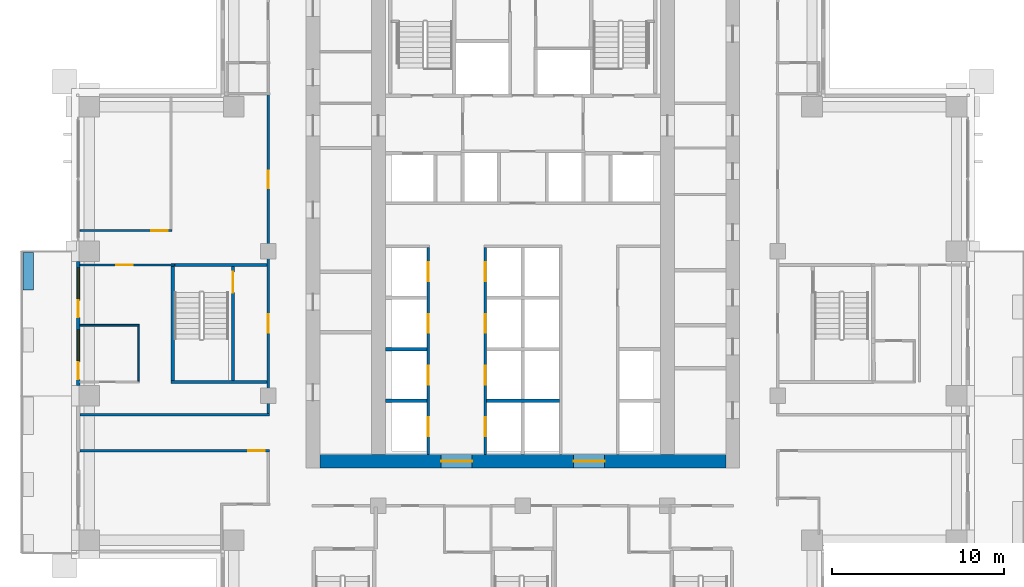
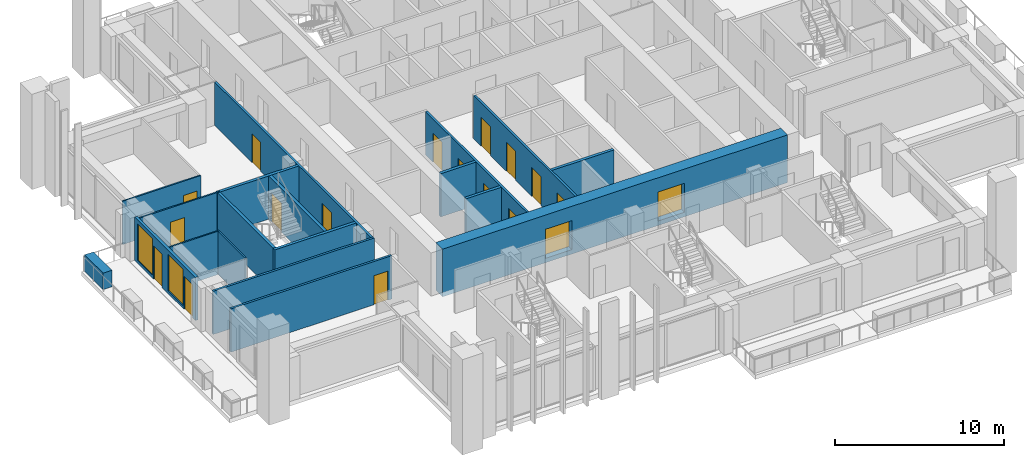
# One storey, part 9 of 19: 19 walls, 18 doors, 2 windows, 20 openings.
"""IFC4 building model written with IfcOpenShell, lengths in metres."""

from ifc_helpers import new_model, si_unit, direction, frame, frame_2d, origin, place, context, subcontext, project, spatial, rectangle, extrude, material, layer, layer_set, type_object, element, fill, save


model = new_model("IFC4")

# Units and contexts
model_context = context("Model", 3, precision=1e-05, world=origin(), true_north=direction((0.0, 1.0)))
body_context = subcontext(model_context, "Body", "Model", "MODEL_VIEW")
ifc_project = project(units=[si_unit("LENGTHUNIT", "METRE"), si_unit("AREAUNIT", "SQUARE_METRE"), si_unit("VOLUMEUNIT", "CUBIC_METRE"), si_unit("PLANEANGLEUNIT", "RADIAN"), si_unit("MASSUNIT", "GRAM", prefix="KILO")], contexts=[model_context])

# Site, building, storey
site_placement = place(None, origin())
site = spatial("IfcSite", under=ifc_project, at=site_placement, CompositionType="ELEMENT")
building_placement = place(site_placement, origin())
building = spatial("IfcBuilding", under=site, at=building_placement, Name="Vermilion Ogive Tower", CompositionType="ELEMENT")
storey_placement = place(building_placement, frame((0.0, 0.0, 104.550048828125)))
storey = spatial("IfcBuildingStorey", under=building, at=storey_placement, Name="L26", CompositionType="ELEMENT", Elevation=104.550048828125)

# Wall, openings, doors
ifc_material_1 = material(Name="Concrete B80", Category="concrete")
ifc_layer_1 = layer(ifc_material_1, 0.800048828125)
ifc_layer_set_1 = layer_set([ifc_layer_1], Name="Core wall 800 B80")
wall_type_1 = type_object("IfcWallType", Name="Core wall 800 B80", PredefinedType="SHEAR", material=ifc_layer_set_1)
wall_1_placement = place(storey_placement, frame((-11.800048828125, -8.0, -0.320068359375), z_axis=(0.0, 0.0, 1.0), x_axis=(1.0, 0.0, 0.0)))
wall_1 = element("IfcWall", 1, at=wall_1_placement, inside=storey, type_object=wall_type_1, Name="L26-CORE-S", PredefinedType="SHEAR", context=body_context, shape_type="SweptSolid", body=[
    extrude(rectangle(XDim=23.60009765625, YDim=0.800048828125, at=frame_2d((11.800048828125, 0.0))), origin(), (0.0, 0.0, 1.0), 3.449951171875),
])
opening_1_placement = place(wall_1_placement, frame((7.050048828125, 0.0, 0.320068359375)))
opening_1 = element("IfcOpeningElement", 2, at=opening_1_placement, cuts=wall_1, Name="Opening DAH019", PredefinedType="OPENING", context=body_context, shape_type="SweptSolid", body=[
    extrude(rectangle(XDim=1.800048828125, YDim=2.10009765625, at=frame_2d((0.89990234375, 1.050048828125))), frame((0.0, 0.409912109375, 0.0), z_axis=(0.0, -1.0, 0.0), x_axis=(1.0, 0.0, 0.0)), (0.0, 0.0, 1.0), 0.820068359375),
])
opening_2_placement = place(wall_1_placement, frame((14.75, 0.0, 0.320068359375)))
opening_2 = element("IfcOpeningElement", 3, at=opening_2_placement, cuts=wall_1, Name="Opening DAH020", PredefinedType="OPENING", context=body_context, shape_type="SweptSolid", body=[
    extrude(rectangle(XDim=1.800048828125, YDim=2.10009765625, at=frame_2d((0.89990234375, 1.050048828125))), frame((0.0, 0.409912109375, 0.0), z_axis=(0.0, -1.0, 0.0), x_axis=(1.0, 0.0, 0.0)), (0.0, 0.0, 1.0), 0.820068359375),
])
ifc_material_2 = material(Name="Timber door leaf", Category="wood")
door_type_1 = type_object("IfcDoorType", Name="Core entry door 1800 x 2100 FD60S", OperationType="DOUBLE_DOOR_SINGLE_SWING", PredefinedType="DOOR", material=ifc_material_2)
door_1_placement = place(opening_1_placement, origin())
door_1 = element("IfcDoor", 4, at=door_1_placement, inside=storey, type_object=door_type_1, Name="L26-CK-XD1", OperationType="SINGLE_SWING_LEFT", OverallHeight=2.10009765625, OverallWidth=1.800048828125, PredefinedType="DOOR", context=body_context, shape_type="SweptSolid", body=[
    extrude(rectangle(XDim=1.800048828125, YDim=2.10009765625, at=frame_2d((0.89990234375, 1.050048828125))), frame((0.0, 0.02490234375, 0.0), z_axis=(0.0, -1.0, 0.0), x_axis=(1.0, 0.0, 0.0)), (0.0, 0.0, 1.0), 0.050048828125),
])
fill(opening_1, door_1)
door_2_placement = place(opening_2_placement, origin())
door_2 = element("IfcDoor", 5, at=door_2_placement, inside=storey, type_object=door_type_1, Name="L26-CK-XD2", OperationType="SINGLE_SWING_LEFT", OverallHeight=2.10009765625, OverallWidth=1.800048828125, PredefinedType="DOOR", context=body_context, shape_type="SweptSolid", body=[
    extrude(rectangle(XDim=1.800048828125, YDim=2.10009765625, at=frame_2d((0.89990234375, 1.050048828125))), frame((0.0, 0.02490234375, 0.0), z_axis=(0.0, -1.0, 0.0), x_axis=(1.0, 0.0, 0.0)), (0.0, 0.0, 1.0), 0.050048828125),
])
fill(opening_2, door_2)

# Walls
ifc_material_3 = material(Name="Gypsum board partition on steel studs", Category="steel")
ifc_layer_2 = layer(ifc_material_3, 0.10009765625)
ifc_layer_set_2 = layer_set([ifc_layer_2], Name="Partition 100 bath")
wall_type_2 = type_object("IfcWallType", Name="Partition 100 bath", PredefinedType="PARTITIONING", material=ifc_layer_set_2)
wall_2_placement = place(storey_placement, frame((-25.75, -0.10009765625, 0.0), z_axis=(0.0, 0.0, 1.0), x_axis=(1.0, 0.0, 0.0)))
element("IfcWall", 6, at=wall_2_placement, inside=storey, type_object=wall_type_2, Name="L26-W-W023", PredefinedType="PARTITIONING", context=body_context, shape_type="SweptSolid", body=[
    extrude(rectangle(XDim=3.447998046875, YDim=0.10009765625, at=frame_2d((1.72412109375, 0.0))), origin(), (0.0, 0.0, 1.0), 3.1298828125),
])
wall_3_placement = place(storey_placement, frame((-22.35009765625, -3.347900390625, 0.0), z_axis=(0.0, 0.0, 1.0), x_axis=(0.0, 1.0, 0.0)))
element("IfcWall", 7, at=wall_3_placement, inside=storey, type_object=wall_type_2, Name="L26-W-W035", PredefinedType="PARTITIONING", context=body_context, shape_type="SweptSolid", body=[
    extrude(rectangle(XDim=3.19580078125, YDim=0.10009765625, at=frame_2d((1.597900390625, 0.0))), origin(), (0.0, 0.0, 1.0), 3.1298828125),
])

# Wall, opening, door
ifc_material_4 = material(Name="Gypsum board partition on steel studs", Category="steel")
ifc_layer_3 = layer(ifc_material_4, 0.10009765625)
ifc_layer_set_3 = layer_set([ifc_layer_3], Name="Partition 100 inner")
wall_type_3 = type_object("IfcWallType", Name="Partition 100 inner", PredefinedType="PARTITIONING", material=ifc_layer_set_3)
wall_4_placement = place(storey_placement, frame((-25.75, 3.39990234375, 0.0), z_axis=(0.0, 0.0, 1.0), x_axis=(1.0, 0.0, 0.0)))
wall_4 = element("IfcWall", 8, at=wall_4_placement, inside=storey, type_object=wall_type_3, Name="L26-W-W024", PredefinedType="PARTITIONING", context=body_context, shape_type="SweptSolid", body=[
    extrude(rectangle(XDim=5.5, YDim=0.10009765625, at=frame_2d((2.75, 0.0))), origin(), (0.0, 0.0, 1.0), 3.1298828125),
])
opening_3_placement = place(wall_4_placement, frame((2.125, 0.0, 0.0)))
opening_3 = element("IfcOpeningElement", 9, at=opening_3_placement, cuts=wall_4, Name="Opening D2G4005", PredefinedType="OPENING", context=body_context, shape_type="SweptSolid", body=[
    extrude(rectangle(XDim=0.949951171875, YDim=2.10009765625, at=frame_2d((0.47509765625, 1.050048828125))), frame((0.0, 0.06005859375, 0.0), z_axis=(0.0, -1.0, 0.0), x_axis=(1.0, 0.0, 0.0)), (0.0, 0.0, 1.0), 0.1201171875),
])
ifc_material_5 = material(Name="Timber door leaf", Category="wood")
door_type_2 = type_object("IfcDoorType", Name="Inner door 950 x 2100 FD30", OperationType="SINGLE_SWING_LEFT", PredefinedType="DOOR", material=ifc_material_5)
door_3_placement = place(opening_3_placement, origin())
door_3 = element("IfcDoor", 10, at=door_3_placement, inside=storey, type_object=door_type_2, Name="L26-D-D005", OperationType="SINGLE_SWING_LEFT", OverallHeight=2.10009765625, OverallWidth=0.949951171875, PredefinedType="DOOR", context=body_context, shape_type="SweptSolid", body=[
    extrude(rectangle(XDim=0.949951171875, YDim=2.10009765625, at=frame_2d((0.47509765625, 1.050048828125))), frame((0.0, 0.02490234375, 0.0), z_axis=(0.0, -1.0, 0.0), x_axis=(1.0, 0.0, 0.0)), (0.0, 0.0, 1.0), 0.050048828125),
])
fill(opening_3, door_3)

wall_5_placement = place(storey_placement, frame((-25.75, 5.39990234375, 0.0), z_axis=(0.0, 0.0, 1.0), x_axis=(1.0, 0.0, 0.0)))
wall_5 = element("IfcWall", 11, at=wall_5_placement, inside=storey, type_object=wall_type_3, Name="L26-W-W028", PredefinedType="PARTITIONING", context=body_context, shape_type="SweptSolid", body=[
    extrude(rectangle(XDim=5.35009765625, YDim=0.10009765625, at=frame_2d((2.675048828125, 0.0))), origin(), (0.0, 0.0, 1.0), 3.1298828125),
])
opening_4_placement = place(wall_5_placement, frame((4.14990234375, 0.0, 0.0)))
opening_4 = element("IfcOpeningElement", 12, at=opening_4_placement, cuts=wall_5, Name="Opening D2G4003", PredefinedType="OPENING", context=body_context, shape_type="SweptSolid", body=[
    extrude(rectangle(XDim=0.949951171875, YDim=2.10009765625, at=frame_2d((0.47509765625, 1.050048828125))), frame((0.0, 0.06005859375, 0.0), z_axis=(0.0, -1.0, 0.0), x_axis=(1.0, 0.0, 0.0)), (0.0, 0.0, 1.0), 0.1201171875),
])
door_4_placement = place(opening_4_placement, origin())
door_4 = element("IfcDoor", 13, at=door_4_placement, inside=storey, type_object=door_type_2, Name="L26-D-D003", OperationType="SINGLE_SWING_LEFT", OverallHeight=2.10009765625, OverallWidth=0.949951171875, PredefinedType="DOOR", context=body_context, shape_type="SweptSolid", body=[
    extrude(rectangle(XDim=0.949951171875, YDim=2.10009765625, at=frame_2d((0.47509765625, 1.050048828125))), frame((0.0, 0.02490234375, 0.0), z_axis=(0.0, -1.0, 0.0), x_axis=(1.0, 0.0, 0.0)), (0.0, 0.0, 1.0), 0.050048828125),
])
fill(opening_4, door_4)

ifc_material_6 = material(Name="Gypsum board partition on steel studs", Category="steel")
ifc_layer_4 = layer(ifc_material_6, 0.14990234375)
ifc_layer_set_4 = layer_set([ifc_layer_4], Name="Partition 150 corridor")
wall_type_4 = type_object("IfcWallType", Name="Partition 150 corridor", PredefinedType="PARTITIONING", material=ifc_layer_set_4)
wall_6_placement = place(storey_placement, frame((-25.75, -7.39990234375, 0.0), z_axis=(0.0, 0.0, 1.0), x_axis=(1.0, 0.0, 0.0)))
wall_6 = element("IfcWall", 14, at=wall_6_placement, inside=storey, type_object=wall_type_4, Name="L26-W-W014", PredefinedType="PARTITIONING", context=body_context, shape_type="SweptSolid", body=[
    extrude(rectangle(XDim=11.02490234375, YDim=0.14990234375, at=frame_2d((5.512451171875, 0.0))), origin(), (0.0, 0.0, 1.0), 3.1298828125),
])
opening_5_placement = place(wall_6_placement, frame((9.800048828125, 0.0, 0.0)))
opening_5 = element("IfcOpeningElement", 15, at=opening_5_placement, cuts=wall_6, Name="Opening D2G4001", PredefinedType="OPENING", context=body_context, shape_type="SweptSolid", body=[
    extrude(rectangle(XDim=0.949951171875, YDim=2.10009765625, at=frame_2d((0.47509765625, 1.050048828125))), frame((0.0, 0.0849609375, 0.0), z_axis=(0.0, -1.0, 0.0), x_axis=(1.0, 0.0, 0.0)), (0.0, 0.0, 1.0), 0.169921875),
])
ifc_material_7 = material(Name="Timber door leaf", Category="wood")
door_type_3 = type_object("IfcDoorType", Name="Unit door 950 x 2100 FD30S", OperationType="SINGLE_SWING_LEFT", PredefinedType="DOOR", material=ifc_material_7)
door_5_placement = place(opening_5_placement, origin())
door_5 = element("IfcDoor", 16, at=door_5_placement, inside=storey, type_object=door_type_3, Name="L26-D-D001", OperationType="SINGLE_SWING_RIGHT", OverallHeight=2.10009765625, OverallWidth=0.949951171875, PredefinedType="DOOR", context=body_context, shape_type="SweptSolid", body=[
    extrude(rectangle(XDim=0.949951171875, YDim=2.10009765625, at=frame_2d((0.47509765625, 1.050048828125))), frame((0.0, 0.02490234375, 0.0), z_axis=(0.0, -1.0, 0.0), x_axis=(1.0, 0.0, 0.0)), (0.0, 0.0, 1.0), 0.050048828125),
])
fill(opening_5, door_5)

# Wall
wall_7_placement = place(storey_placement, frame((-25.75, -5.300048828125, 0.0), z_axis=(0.0, 0.0, 1.0), x_axis=(1.0, 0.0, 0.0)))
element("IfcWall", 17, at=wall_7_placement, inside=storey, type_object=wall_type_4, Name="L26-W-W016", PredefinedType="PARTITIONING", context=body_context, shape_type="SweptSolid", body=[
    extrude(rectangle(XDim=11.02294921875, YDim=0.14990234375, at=frame_2d((5.511474609375, 0.0))), origin(), (0.0, 0.0, 1.0), 3.1298828125),
])

# Wall, openings, doors
wall_8_placement = place(storey_placement, frame((-14.800048828125, -5.222900390625, 0.0), z_axis=(0.0, 0.0, 1.0), x_axis=(0.0, 1.0, 0.0)))
wall_8 = element("IfcWall", 18, at=wall_8_placement, inside=storey, type_object=wall_type_4, Name="L26-W-W042", PredefinedType="PARTITIONING", context=body_context, shape_type="SweptSolid", body=[
    extrude(rectangle(XDim=18.52294921875, YDim=0.14990234375, at=frame_2d((9.261474609375, 0.0))), origin(), (0.0, 0.0, 1.0), 3.1298828125),
])
opening_6_placement = place(wall_8_placement, frame((13.097900390625, 0.0, 0.0)))
opening_6 = element("IfcOpeningElement", 19, at=opening_6_placement, cuts=wall_8, Name="Opening D2G4004", PredefinedType="OPENING", context=body_context, shape_type="SweptSolid", body=[
    extrude(rectangle(XDim=1.0, YDim=2.10009765625, at=frame_2d((0.5, 1.050048828125))), frame((0.0, 0.0849609375, 0.0), z_axis=(0.0, -1.0, 0.0), x_axis=(1.0, 0.0, 0.0)), (0.0, 0.0, 1.0), 0.169921875),
])
opening_7_placement = place(wall_8_placement, frame((4.6728515625, 0.0, 0.0)))
opening_7 = element("IfcOpeningElement", 20, at=opening_7_placement, cuts=wall_8, Name="Opening D2G4029", PredefinedType="OPENING", context=body_context, shape_type="SweptSolid", body=[
    extrude(rectangle(XDim=1.10009765625, YDim=2.10009765625, at=frame_2d((0.550048828125, 1.050048828125))), frame((0.0, 0.0849609375, 0.0), z_axis=(0.0, -1.0, 0.0), x_axis=(1.0, 0.0, 0.0)), (0.0, 0.0, 1.0), 0.169921875),
])
ifc_material_8 = material(Name="Timber door leaf", Category="wood")
door_type_4 = type_object("IfcDoorType", Name="Stair door 1100 x 2100 FD60S", OperationType="SINGLE_SWING_LEFT", PredefinedType="DOOR", material=ifc_material_8)
door_6_placement = place(opening_7_placement, origin())
door_6 = element("IfcDoor", 21, at=door_6_placement, inside=storey, type_object=door_type_4, Name="L26-D-D029", OperationType="SINGLE_SWING_LEFT", OverallHeight=2.10009765625, OverallWidth=1.10009765625, PredefinedType="DOOR", context=body_context, shape_type="SweptSolid", body=[
    extrude(rectangle(XDim=1.10009765625, YDim=2.10009765625, at=frame_2d((0.550048828125, 1.050048828125))), frame((0.0, 0.02490234375, 0.0), z_axis=(0.0, -1.0, 0.0), x_axis=(1.0, 0.0, 0.0)), (0.0, 0.0, 1.0), 0.050048828125),
])
fill(opening_7, door_6)
ifc_material_9 = material(Name="Timber door leaf", Category="wood")
door_type_5 = type_object("IfcDoorType", Name="Unit door 1000 x 2100 FD30S", OperationType="SINGLE_SWING_LEFT", PredefinedType="DOOR", material=ifc_material_9)
door_7_placement = place(opening_6_placement, origin())
door_7 = element("IfcDoor", 22, at=door_7_placement, inside=storey, type_object=door_type_5, Name="L26-D-D004", OperationType="SINGLE_SWING_LEFT", OverallHeight=2.10009765625, OverallWidth=1.0, PredefinedType="DOOR", context=body_context, shape_type="SweptSolid", body=[
    extrude(rectangle(XDim=1.0, YDim=2.10009765625, at=frame_2d((0.5, 1.050048828125))), frame((0.0, 0.02490234375, 0.0), z_axis=(0.0, -1.0, 0.0), x_axis=(1.0, 0.0, 0.0)), (0.0, 0.0, 1.0), 0.050048828125),
])
fill(opening_6, door_7)

wall_9_placement = place(storey_placement, frame((-5.5, -7.59912109375, 0.0), z_axis=(0.0, 0.0, 1.0), x_axis=(0.0, 1.0, 0.0)))
wall_9 = element("IfcWall", 23, at=wall_9_placement, inside=storey, type_object=wall_type_4, Name="L26-CK-W-W021", PredefinedType="PARTITIONING", context=body_context, shape_type="SweptSolid", body=[
    extrude(rectangle(XDim=12.024169921875, YDim=0.14990234375, at=frame_2d((6.01220703125, 0.0))), origin(), (0.0, 0.0, 1.0), 3.1298828125),
])
opening_8_placement = place(wall_9_placement, frame((1.049072265625, 0.0, 0.0)))
opening_8 = element("IfcOpeningElement", 24, at=opening_8_placement, cuts=wall_9, Name="Opening DAA218", PredefinedType="OPENING", context=body_context, shape_type="SweptSolid", body=[
    extrude(rectangle(XDim=1.10009765625, YDim=2.10009765625, at=frame_2d((0.550048828125, 1.050048828125))), frame((0.0, 0.0849609375, 0.0), z_axis=(0.0, -1.0, 0.0), x_axis=(1.0, 0.0, 0.0)), (0.0, 0.0, 1.0), 0.169921875),
])
opening_9_placement = place(wall_9_placement, frame((4.049072265625, 0.0, 0.0)))
opening_9 = element("IfcOpeningElement", 25, at=opening_9_placement, cuts=wall_9, Name="Opening DAA221", PredefinedType="OPENING", context=body_context, shape_type="SweptSolid", body=[
    extrude(rectangle(XDim=1.10009765625, YDim=2.10009765625, at=frame_2d((0.550048828125, 1.050048828125))), frame((0.0, 0.0849609375, 0.0), z_axis=(0.0, -1.0, 0.0), x_axis=(1.0, 0.0, 0.0)), (0.0, 0.0, 1.0), 0.169921875),
])
opening_10_placement = place(wall_9_placement, frame((7.049072265625, 0.0, 0.0)))
opening_10 = element("IfcOpeningElement", 26, at=opening_10_placement, cuts=wall_9, Name="Opening DAA222", PredefinedType="OPENING", context=body_context, shape_type="SweptSolid", body=[
    extrude(rectangle(XDim=1.10009765625, YDim=2.10009765625, at=frame_2d((0.550048828125, 1.050048828125))), frame((0.0, 0.0849609375, 0.0), z_axis=(0.0, -1.0, 0.0), x_axis=(1.0, 0.0, 0.0)), (0.0, 0.0, 1.0), 0.169921875),
])
opening_11_placement = place(wall_9_placement, frame((10.049072265625, 0.0, 0.0)))
opening_11 = element("IfcOpeningElement", 27, at=opening_11_placement, cuts=wall_9, Name="Opening DAA223", PredefinedType="OPENING", context=body_context, shape_type="SweptSolid", body=[
    extrude(rectangle(XDim=1.10009765625, YDim=2.10009765625, at=frame_2d((0.550048828125, 1.050048828125))), frame((0.0, 0.0849609375, 0.0), z_axis=(0.0, -1.0, 0.0), x_axis=(1.0, 0.0, 0.0)), (0.0, 0.0, 1.0), 0.169921875),
])
ifc_material_10 = material(Name="Stainless steel", Category="steel")
door_type_6 = type_object("IfcDoorType", Name="Lift landing door 1100 x 2100", OperationType="SLIDING_TO_LEFT", PredefinedType="DOOR", material=ifc_material_10)
door_8_placement = place(opening_8_placement, origin())
door_8 = element("IfcDoor", 28, at=door_8_placement, inside=storey, type_object=door_type_6, Name="L26-CK-D-D001", OperationType="SLIDING_TO_LEFT", OverallHeight=2.10009765625, OverallWidth=1.10009765625, PredefinedType="DOOR", context=body_context, shape_type="SweptSolid", body=[
    extrude(rectangle(XDim=1.10009765625, YDim=2.10009765625, at=frame_2d((0.550048828125, 1.050048828125))), frame((0.0, 0.02490234375, 0.0), z_axis=(0.0, -1.0, 0.0), x_axis=(1.0, 0.0, 0.0)), (0.0, 0.0, 1.0), 0.050048828125),
])
fill(opening_8, door_8)
door_9_placement = place(opening_9_placement, origin())
door_9 = element("IfcDoor", 29, at=door_9_placement, inside=storey, type_object=door_type_6, Name="L26-CK-D-D002", OperationType="SLIDING_TO_LEFT", OverallHeight=2.10009765625, OverallWidth=1.10009765625, PredefinedType="DOOR", context=body_context, shape_type="SweptSolid", body=[
    extrude(rectangle(XDim=1.10009765625, YDim=2.10009765625, at=frame_2d((0.550048828125, 1.050048828125))), frame((0.0, 0.02490234375, 0.0), z_axis=(0.0, -1.0, 0.0), x_axis=(1.0, 0.0, 0.0)), (0.0, 0.0, 1.0), 0.050048828125),
])
fill(opening_9, door_9)
door_10_placement = place(opening_10_placement, origin())
door_10 = element("IfcDoor", 30, at=door_10_placement, inside=storey, type_object=door_type_6, Name="L26-CK-D-D003", OperationType="SLIDING_TO_LEFT", OverallHeight=2.10009765625, OverallWidth=1.10009765625, PredefinedType="DOOR", context=body_context, shape_type="SweptSolid", body=[
    extrude(rectangle(XDim=1.10009765625, YDim=2.10009765625, at=frame_2d((0.550048828125, 1.050048828125))), frame((0.0, 0.02490234375, 0.0), z_axis=(0.0, -1.0, 0.0), x_axis=(1.0, 0.0, 0.0)), (0.0, 0.0, 1.0), 0.050048828125),
])
fill(opening_10, door_10)
door_11_placement = place(opening_11_placement, origin())
door_11 = element("IfcDoor", 31, at=door_11_placement, inside=storey, type_object=door_type_6, Name="L26-CK-D-D004", OperationType="SLIDING_TO_LEFT", OverallHeight=2.10009765625, OverallWidth=1.10009765625, PredefinedType="DOOR", context=body_context, shape_type="SweptSolid", body=[
    extrude(rectangle(XDim=1.10009765625, YDim=2.10009765625, at=frame_2d((0.550048828125, 1.050048828125))), frame((0.0, 0.02490234375, 0.0), z_axis=(0.0, -1.0, 0.0), x_axis=(1.0, 0.0, 0.0)), (0.0, 0.0, 1.0), 0.050048828125),
])
fill(opening_11, door_11)

wall_10_placement = place(storey_placement, frame((-2.199951171875, -7.59912109375, 0.0), z_axis=(0.0, 0.0, 1.0), x_axis=(0.0, 1.0, 0.0)))
wall_10 = element("IfcWall", 32, at=wall_10_placement, inside=storey, type_object=wall_type_4, Name="L26-CK-W-W026", PredefinedType="PARTITIONING", context=body_context, shape_type="SweptSolid", body=[
    extrude(rectangle(XDim=12.024169921875, YDim=0.14990234375, at=frame_2d((6.01220703125, 0.0))), origin(), (0.0, 0.0, 1.0), 3.1298828125),
])
opening_12_placement = place(wall_10_placement, frame((1.049072265625, 0.0, 0.0)))
opening_12 = element("IfcOpeningElement", 33, at=opening_12_placement, cuts=wall_10, Name="Opening DAA224", PredefinedType="OPENING", context=body_context, shape_type="SweptSolid", body=[
    extrude(rectangle(XDim=1.10009765625, YDim=2.10009765625, at=frame_2d((0.550048828125, 1.050048828125))), frame((0.0, 0.0849609375, 0.0), z_axis=(0.0, -1.0, 0.0), x_axis=(1.0, 0.0, 0.0)), (0.0, 0.0, 1.0), 0.169921875),
])
opening_13_placement = place(wall_10_placement, frame((4.049072265625, 0.0, 0.0)))
opening_13 = element("IfcOpeningElement", 34, at=opening_13_placement, cuts=wall_10, Name="Opening DAA225", PredefinedType="OPENING", context=body_context, shape_type="SweptSolid", body=[
    extrude(rectangle(XDim=1.10009765625, YDim=2.10009765625, at=frame_2d((0.550048828125, 1.050048828125))), frame((0.0, 0.0849609375, 0.0), z_axis=(0.0, -1.0, 0.0), x_axis=(1.0, 0.0, 0.0)), (0.0, 0.0, 1.0), 0.169921875),
])
opening_14_placement = place(wall_10_placement, frame((7.049072265625, 0.0, 0.0)))
opening_14 = element("IfcOpeningElement", 35, at=opening_14_placement, cuts=wall_10, Name="Opening DAA226", PredefinedType="OPENING", context=body_context, shape_type="SweptSolid", body=[
    extrude(rectangle(XDim=1.10009765625, YDim=2.10009765625, at=frame_2d((0.550048828125, 1.050048828125))), frame((0.0, 0.0849609375, 0.0), z_axis=(0.0, -1.0, 0.0), x_axis=(1.0, 0.0, 0.0)), (0.0, 0.0, 1.0), 0.169921875),
])
opening_15_placement = place(wall_10_placement, frame((10.049072265625, 0.0, 0.0)))
opening_15 = element("IfcOpeningElement", 36, at=opening_15_placement, cuts=wall_10, Name="Opening DAA227", PredefinedType="OPENING", context=body_context, shape_type="SweptSolid", body=[
    extrude(rectangle(XDim=1.10009765625, YDim=2.10009765625, at=frame_2d((0.550048828125, 1.050048828125))), frame((0.0, 0.0849609375, 0.0), z_axis=(0.0, -1.0, 0.0), x_axis=(1.0, 0.0, 0.0)), (0.0, 0.0, 1.0), 0.169921875),
])
door_12_placement = place(opening_12_placement, origin())
door_12 = element("IfcDoor", 37, at=door_12_placement, inside=storey, type_object=door_type_6, Name="L26-CK-D-D005", OperationType="SLIDING_TO_LEFT", OverallHeight=2.10009765625, OverallWidth=1.10009765625, PredefinedType="DOOR", context=body_context, shape_type="SweptSolid", body=[
    extrude(rectangle(XDim=1.10009765625, YDim=2.10009765625, at=frame_2d((0.550048828125, 1.050048828125))), frame((0.0, 0.02490234375, 0.0), z_axis=(0.0, -1.0, 0.0), x_axis=(1.0, 0.0, 0.0)), (0.0, 0.0, 1.0), 0.050048828125),
])
fill(opening_12, door_12)
door_13_placement = place(opening_13_placement, origin())
door_13 = element("IfcDoor", 38, at=door_13_placement, inside=storey, type_object=door_type_6, Name="L26-CK-D-D006", OperationType="SLIDING_TO_LEFT", OverallHeight=2.10009765625, OverallWidth=1.10009765625, PredefinedType="DOOR", context=body_context, shape_type="SweptSolid", body=[
    extrude(rectangle(XDim=1.10009765625, YDim=2.10009765625, at=frame_2d((0.550048828125, 1.050048828125))), frame((0.0, 0.02490234375, 0.0), z_axis=(0.0, -1.0, 0.0), x_axis=(1.0, 0.0, 0.0)), (0.0, 0.0, 1.0), 0.050048828125),
])
fill(opening_13, door_13)
door_14_placement = place(opening_14_placement, origin())
door_14 = element("IfcDoor", 39, at=door_14_placement, inside=storey, type_object=door_type_6, Name="L26-CK-D-D007", OperationType="SLIDING_TO_LEFT", OverallHeight=2.10009765625, OverallWidth=1.10009765625, PredefinedType="DOOR", context=body_context, shape_type="SweptSolid", body=[
    extrude(rectangle(XDim=1.10009765625, YDim=2.10009765625, at=frame_2d((0.550048828125, 1.050048828125))), frame((0.0, 0.02490234375, 0.0), z_axis=(0.0, -1.0, 0.0), x_axis=(1.0, 0.0, 0.0)), (0.0, 0.0, 1.0), 0.050048828125),
])
fill(opening_14, door_14)
door_15_placement = place(opening_15_placement, origin())
door_15 = element("IfcDoor", 40, at=door_15_placement, inside=storey, type_object=door_type_6, Name="L26-CK-D-D008", OperationType="SLIDING_TO_LEFT", OverallHeight=2.10009765625, OverallWidth=1.10009765625, PredefinedType="DOOR", context=body_context, shape_type="SweptSolid", body=[
    extrude(rectangle(XDim=1.10009765625, YDim=2.10009765625, at=frame_2d((0.550048828125, 1.050048828125))), frame((0.0, 0.02490234375, 0.0), z_axis=(0.0, -1.0, 0.0), x_axis=(1.0, 0.0, 0.0)), (0.0, 0.0, 1.0), 0.050048828125),
])
fill(opening_15, door_15)

# Walls
ifc_material_11 = material(Name="Gypsum board partition on steel studs", Category="steel")
ifc_layer_5 = layer(ifc_material_11, 0.199951171875)
ifc_layer_set_5 = layer_set([ifc_layer_5], Name="Partition 200 party")
wall_type_5 = type_object("IfcWallType", Name="Partition 200 party", PredefinedType="PARTITIONING", material=ifc_layer_set_5)
wall_11_placement = place(storey_placement, frame((-7.9990234375, -4.5, 0.0), z_axis=(0.0, 0.0, 1.0), x_axis=(1.0, 0.0, 0.0)))
element("IfcWall", 41, at=wall_11_placement, inside=storey, type_object=wall_type_5, Name="L26-CK-W-W001", PredefinedType="PARTITIONING", context=body_context, shape_type="SweptSolid", body=[
    extrude(rectangle(XDim=2.424072265625, YDim=0.199951171875, at=frame_2d((1.2119140625, 0.0))), origin(), (0.0, 0.0, 1.0), 3.1298828125),
])
wall_12_placement = place(storey_placement, frame((-2.125, -4.5, 0.0), z_axis=(0.0, 0.0, 1.0), x_axis=(1.0, 0.0, 0.0)))
element("IfcWall", 42, at=wall_12_placement, inside=storey, type_object=wall_type_5, Name="L26-CK-W-W002", PredefinedType="PARTITIONING", context=body_context, shape_type="SweptSolid", body=[
    extrude(rectangle(XDim=4.25, YDim=0.199951171875, at=frame_2d((2.125, 0.0))), origin(), (0.0, 0.0, 1.0), 3.1298828125),
])
wall_13_placement = place(storey_placement, frame((-7.9990234375, -1.5, 0.0), z_axis=(0.0, 0.0, 1.0), x_axis=(1.0, 0.0, 0.0)))
element("IfcWall", 43, at=wall_13_placement, inside=storey, type_object=wall_type_5, Name="L26-CK-W-W004", PredefinedType="PARTITIONING", context=body_context, shape_type="SweptSolid", body=[
    extrude(rectangle(XDim=2.424072265625, YDim=0.199951171875, at=frame_2d((1.2119140625, 0.0))), origin(), (0.0, 0.0, 1.0), 3.1298828125),
])
ifc_material_12 = material(Name="Concrete B60", Category="concrete")
ifc_layer_6 = layer(ifc_material_12, 0.199951171875)
ifc_layer_set_6 = layer_set([ifc_layer_6], Name="Stair shaft wall 200 Concrete B60")
wall_type_6 = type_object("IfcWallType", Name="Stair shaft wall 200 Concrete B60", PredefinedType="SOLIDWALL", material=ifc_layer_set_6)
wall_14_placement = place(storey_placement, frame((-20.447998046875, -3.39990234375, 0.0), z_axis=(0.0, 0.0, 1.0), x_axis=(1.0, 0.0, 0.0)))
element("IfcWall", 44, at=wall_14_placement, inside=storey, type_object=wall_type_6, Name="L26-W-W019", PredefinedType="SOLIDWALL", context=body_context, shape_type="SweptSolid", body=[
    extrude(rectangle(XDim=5.571044921875, YDim=0.199951171875, at=frame_2d((2.78564453125, 0.0))), origin(), (0.0, 0.0, 1.0), 3.1298828125),
])
wall_15_placement = place(storey_placement, frame((-20.449951171875, 3.39990234375, 0.0), z_axis=(0.0, 0.0, 1.0), x_axis=(1.0, 0.0, 0.0)))
element("IfcWall", 45, at=wall_15_placement, inside=storey, type_object=wall_type_6, Name="L26-W-W025", PredefinedType="SOLIDWALL", context=body_context, shape_type="SweptSolid", body=[
    extrude(rectangle(XDim=5.574951171875, YDim=0.199951171875, at=frame_2d((2.78759765625, 0.0))), origin(), (0.0, 0.0, 1.0), 3.1298828125),
])
wall_16_placement = place(storey_placement, frame((-20.35009765625, -3.298095703125, 0.0), z_axis=(0.0, 0.0, 1.0), x_axis=(0.0, 1.0, 0.0)))
element("IfcWall", 46, at=wall_16_placement, inside=storey, type_object=wall_type_6, Name="L26-W-W037", PredefinedType="SOLIDWALL", context=body_context, shape_type="SweptSolid", body=[
    extrude(rectangle(XDim=6.59814453125, YDim=0.199951171875, at=frame_2d((3.299072265625, 0.0))), origin(), (0.0, 0.0, 1.0), 3.1298828125),
])

# Wall, opening, door
wall_17_placement = place(storey_placement, frame((-16.85009765625, -3.300048828125, 0.0), z_axis=(0.0, 0.0, 1.0), x_axis=(0.0, 1.0, 0.0)))
wall_17 = element("IfcWall", 47, at=wall_17_placement, inside=storey, type_object=wall_type_6, Name="L26-W-W040", PredefinedType="SOLIDWALL", context=body_context, shape_type="SweptSolid", body=[
    extrude(rectangle(XDim=6.60009765625, YDim=0.199951171875, at=frame_2d((3.300048828125, 0.0))), origin(), (0.0, 0.0, 1.0), 3.1298828125),
])
opening_16_placement = place(wall_17_placement, frame((5.10009765625, 0.0, 0.0)))
opening_16 = element("IfcOpeningElement", 48, at=opening_16_placement, cuts=wall_17, Name="Opening D2G4030", PredefinedType="OPENING", context=body_context, shape_type="SweptSolid", body=[
    extrude(rectangle(XDim=1.199951171875, YDim=2.10009765625, at=frame_2d((0.60009765625, 1.050048828125))), frame((0.0, 0.10986328125, 0.0), z_axis=(0.0, -1.0, 0.0), x_axis=(1.0, 0.0, 0.0)), (0.0, 0.0, 1.0), 0.219970703125),
])
ifc_material_13 = material(Name="Timber door leaf", Category="wood")
door_type_7 = type_object("IfcDoorType", Name="Stair door 1200 x 2100 FD60S", OperationType="SINGLE_SWING_LEFT", PredefinedType="DOOR", material=ifc_material_13)
door_16_placement = place(opening_16_placement, origin())
door_16 = element("IfcDoor", 49, at=door_16_placement, inside=storey, type_object=door_type_7, Name="L26-D-D030", OperationType="SINGLE_SWING_RIGHT", OverallHeight=2.10009765625, OverallWidth=1.199951171875, PredefinedType="DOOR", context=body_context, shape_type="SweptSolid", body=[
    extrude(rectangle(XDim=1.199951171875, YDim=2.10009765625, at=frame_2d((0.60009765625, 1.050048828125))), frame((0.0, 0.02490234375, 0.0), z_axis=(0.0, -1.0, 0.0), x_axis=(1.0, 0.0, 0.0)), (0.0, 0.0, 1.0), 0.050048828125),
])
fill(opening_16, door_16)

# Wall
ifc_material_14 = material(Name="Concrete B40", Category="concrete")
ifc_layer_7 = layer(ifc_material_14, 0.60009765625)
ifc_layer_set_7 = layer_set([ifc_layer_7], Name="Structural planter")
wall_type_7 = type_object("IfcWallType", Name="Structural planter", PredefinedType="USERDEFINED", material=ifc_layer_set_7)
wall_18_placement = place(storey_placement, frame((-28.75, 4.139892578125, -0.0400390625), z_axis=(0.0, 0.0, 1.0), x_axis=(0.0, -1.0, 0.0)))
element("IfcWall", 50, at=wall_18_placement, inside=storey, type_object=wall_type_7, Name="Planter W02A1", ObjectType="PLANTER", PredefinedType="USERDEFINED", context=body_context, shape_type="SweptSolid", body=[
    extrude(rectangle(XDim=2.18994140625, YDim=0.60009765625, at=frame_2d((1.094970703125, 0.0))), origin(), (0.0, 0.0, 1.0), 1.199951171875),
])

# Wall, openings, doors, windows
ifc_material_15 = material(Name="Aluminium window wall framing", Category="aluminium")
ifc_layer_8 = layer(ifc_material_15, 0.199951171875)
ifc_layer_set_8 = layer_set([ifc_layer_8], Name="Window wall")
wall_type_8 = type_object("IfcWallType", Name="Window wall", PredefinedType="STANDARD", material=ifc_layer_set_8)
wall_19_placement = place(storey_placement, frame((-25.85009765625, 3.60009765625, 0.0), z_axis=(0.0, 0.0, 1.0), x_axis=(0.0, -1.0, 0.0)))
wall_19 = element("IfcWall", 51, at=wall_19_placement, inside=storey, type_object=wall_type_8, Name="Window wall W2", PredefinedType="STANDARD", context=body_context, shape_type="SweptSolid", body=[
    extrude(rectangle(XDim=7.2001953125, YDim=0.199951171875, at=frame_2d((3.60009765625, 0.0))), origin(), (0.0, 0.0, 1.0), 3.1298828125),
])
opening_17_placement = place(wall_19_placement, frame((3.949951171875, 0.0, 0.199951171875)))
opening_17 = element("IfcOpeningElement", 52, at=opening_17_placement, cuts=wall_19, Name="Opening W1-W99", PredefinedType="OPENING", context=body_context, shape_type="SweptSolid", body=[
    extrude(rectangle(XDim=1.800048828125, YDim=2.64990234375, at=frame_2d((0.89990234375, 1.324951171875))), frame((0.0, 0.10986328125, 0.0), z_axis=(0.0, -1.0, 0.0), x_axis=(1.0, 0.0, 0.0)), (0.0, 0.0, 1.0), 0.219970703125),
])
opening_18_placement = place(wall_19_placement, frame((5.85009765625, 0.0, 0.0)))
opening_18 = element("IfcOpeningElement", 53, at=opening_18_placement, cuts=wall_19, Name="Opening D1-W99", PredefinedType="OPENING", context=body_context, shape_type="SweptSolid", body=[
    extrude(rectangle(XDim=1.0, YDim=2.39990234375, at=frame_2d((0.5, 1.199951171875))), frame((0.0, 0.10986328125, 0.0), z_axis=(0.0, -1.0, 0.0), x_axis=(1.0, 0.0, 0.0)), (0.0, 0.0, 1.0), 0.219970703125),
])
opening_19_placement = place(wall_19_placement, frame((0.35009765625, 0.0, 0.199951171875)))
opening_19 = element("IfcOpeningElement", 54, at=opening_19_placement, cuts=wall_19, Name="Opening W1-W00", PredefinedType="OPENING", context=body_context, shape_type="SweptSolid", body=[
    extrude(rectangle(XDim=1.800048828125, YDim=2.64990234375, at=frame_2d((0.89990234375, 1.324951171875))), frame((0.0, 0.10986328125, 0.0), z_axis=(0.0, -1.0, 0.0), x_axis=(1.0, 0.0, 0.0)), (0.0, 0.0, 1.0), 0.219970703125),
])
opening_20_placement = place(wall_19_placement, frame((2.25, 0.0, 0.0)))
opening_20 = element("IfcOpeningElement", 55, at=opening_20_placement, cuts=wall_19, Name="Opening D1-W00", PredefinedType="OPENING", context=body_context, shape_type="SweptSolid", body=[
    extrude(rectangle(XDim=1.0, YDim=2.39990234375, at=frame_2d((0.5, 1.199951171875))), frame((0.0, 0.10986328125, 0.0), z_axis=(0.0, -1.0, 0.0), x_axis=(1.0, 0.0, 0.0)), (0.0, 0.0, 1.0), 0.219970703125),
])
ifc_material_16 = material(Name="Aluminium framed glazed door", Category="aluminium")
door_type_8 = type_object("IfcDoorType", Name="Balcony door D1", OperationType="SINGLE_SWING_LEFT", PredefinedType="DOOR", material=ifc_material_16)
door_17_placement = place(opening_18_placement, origin())
door_17 = element("IfcDoor", 56, at=door_17_placement, inside=storey, type_object=door_type_8, Name="Balcony door W99", OperationType="SINGLE_SWING_LEFT", OverallHeight=2.39990234375, OverallWidth=1.0, PredefinedType="DOOR", context=body_context, shape_type="SweptSolid", body=[
    extrude(rectangle(XDim=1.0, YDim=2.39990234375, at=frame_2d((0.5, 1.199951171875))), frame((0.0, 0.02490234375, 0.0), z_axis=(0.0, -1.0, 0.0), x_axis=(1.0, 0.0, 0.0)), (0.0, 0.0, 1.0), 0.050048828125),
])
fill(opening_18, door_17)
door_18_placement = place(opening_20_placement, origin())
door_18 = element("IfcDoor", 57, at=door_18_placement, inside=storey, type_object=door_type_8, Name="Balcony door W00", OperationType="SINGLE_SWING_LEFT", OverallHeight=2.39990234375, OverallWidth=1.0, PredefinedType="DOOR", context=body_context, shape_type="SweptSolid", body=[
    extrude(rectangle(XDim=1.0, YDim=2.39990234375, at=frame_2d((0.5, 1.199951171875))), frame((0.0, 0.02490234375, 0.0), z_axis=(0.0, -1.0, 0.0), x_axis=(1.0, 0.0, 0.0)), (0.0, 0.0, 1.0), 0.050048828125),
])
fill(opening_20, door_18)
ifc_material_17 = material(Name="Aluminium framed double glazing", Category="aluminium")
window_type = type_object("IfcWindowType", Name="Guest window W1", PartitioningType="SINGLE_PANEL", PredefinedType="WINDOW", material=ifc_material_17)
window_1_placement = place(opening_17_placement, origin())
window_1 = element("IfcWindow", 58, at=window_1_placement, inside=storey, type_object=window_type, Name="Window W99", OverallHeight=2.64990234375, OverallWidth=1.800048828125, PartitioningType="SINGLE_PANEL", PredefinedType="WINDOW", context=body_context, shape_type="SweptSolid", body=[
    extrude(rectangle(XDim=1.800048828125, YDim=2.64990234375, at=frame_2d((0.89990234375, 1.324951171875))), frame((0.0, 0.030029296875, 0.0), z_axis=(0.0, -1.0, 0.0), x_axis=(1.0, 0.0, 0.0)), (0.0, 0.0, 1.0), 0.06005859375),
])
fill(opening_17, window_1)
window_2_placement = place(opening_19_placement, origin())
window_2 = element("IfcWindow", 59, at=window_2_placement, inside=storey, type_object=window_type, Name="Window W00", OverallHeight=2.64990234375, OverallWidth=1.800048828125, PartitioningType="SINGLE_PANEL", PredefinedType="WINDOW", context=body_context, shape_type="SweptSolid", body=[
    extrude(rectangle(XDim=1.800048828125, YDim=2.64990234375, at=frame_2d((0.89990234375, 1.324951171875))), frame((0.0, 0.030029296875, 0.0), z_axis=(0.0, -1.0, 0.0), x_axis=(1.0, 0.0, 0.0)), (0.0, 0.0, 1.0), 0.06005859375),
])
fill(opening_19, window_2)

save(model, "model.ifc")
